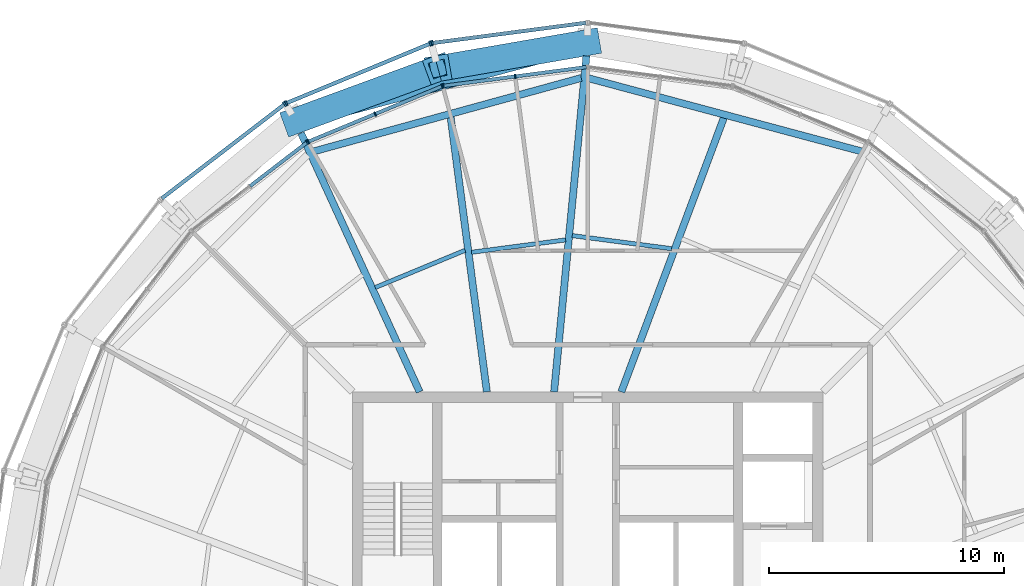
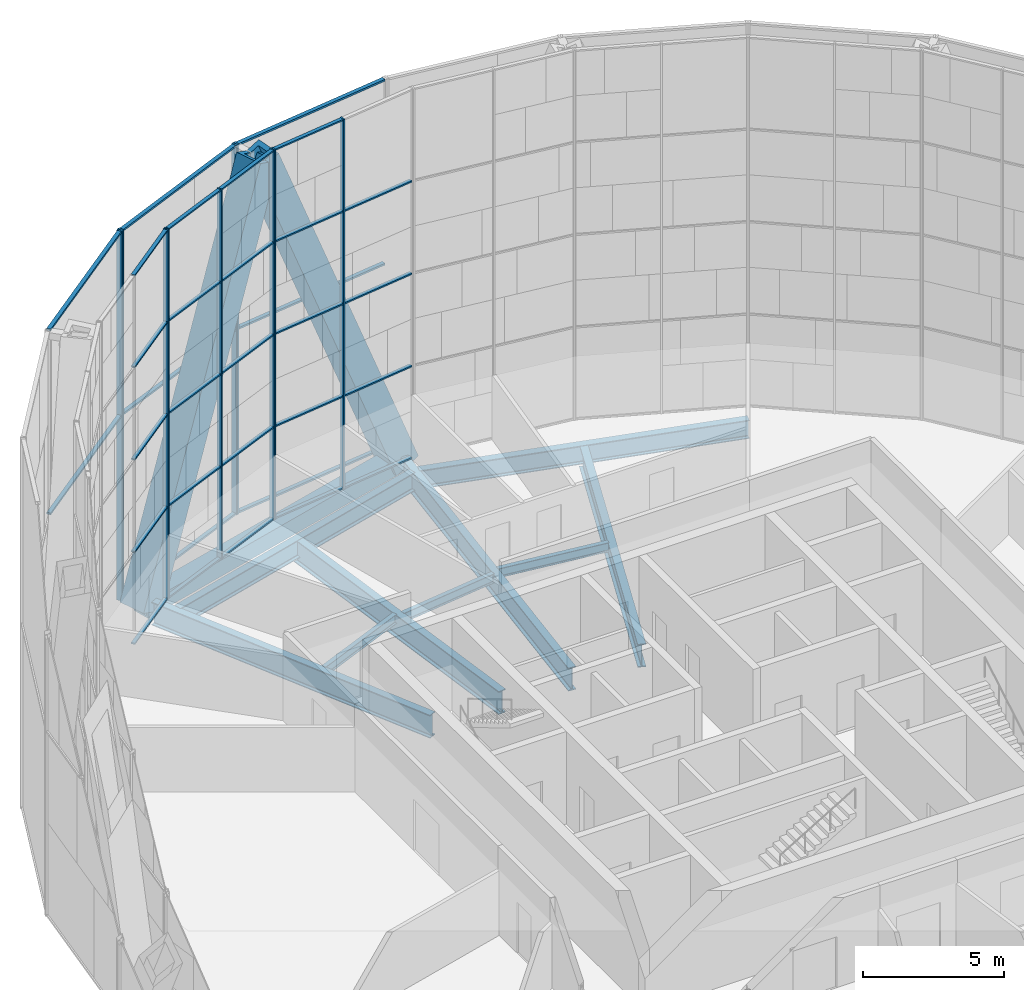
# One storey, part 9 of 28: 44 members, 10 beams, 6 elements without a shape of their own.
"""IFC4 building model written with IfcOpenShell, lengths in metres."""

from ifc_helpers import new_model, si_unit, direction, frame, origin, origin_2d, place, context, subcontext, project, spatial, rectangle, hollow_rectangle, i_section, extrude, material, material_profile, profile_set, type_object, element, aggregate, save


model = new_model("IFC4")

# Units and contexts
model_context = context("Model", 3, precision=1e-05, world=origin(), true_north=direction((0.0, 1.0)))
body_context = subcontext(model_context, "Body", "Model", "MODEL_VIEW")
ifc_project = project(units=[si_unit("LENGTHUNIT", "METRE"), si_unit("AREAUNIT", "SQUARE_METRE"), si_unit("VOLUMEUNIT", "CUBIC_METRE"), si_unit("PLANEANGLEUNIT", "RADIAN"), si_unit("MASSUNIT", "GRAM", prefix="KILO")], contexts=[model_context])

# Site, building, storey
site_placement = place(None, origin())
site = spatial("IfcSite", under=ifc_project, at=site_placement, CompositionType="ELEMENT")
building_placement = place(site_placement, origin())
building = spatial("IfcBuilding", under=site, at=building_placement, Name="Golbaran Civic Tower", CompositionType="ELEMENT")
storey_placement = place(building_placement, frame((0.0, 0.0, 183.0)))
storey = spatial("IfcBuildingStorey", under=building, at=storey_placement, Name="L44", CompositionType="ELEMENT", Elevation=183.0)

# Members
ifc_material_1 = material(Name="Steel S355", Category="steel")
ifc_material_profile_1 = material_profile(ifc_material_1, hollow_rectangle(XDim=1.10009765625, YDim=1.10009765625, WallThickness=0.199951171875, at=origin_2d()), Name="BOX 1100x1100x200")
ifc_profile_set_1 = profile_set([ifc_material_profile_1], Name="Steel S355")
member_type_1 = type_object("IfcMemberType", Name="DIAGRID DIAGONAL BOX 1100x1100x200", PredefinedType="BRACE", material=ifc_profile_set_1)
for number, where, z_axis, x_axis, name in (
    (1, (0.0, 24.846923828125, -0.7099609375), (-0.368693220348, -0.064127942686, 0.927336463338), (0.171360323139, -0.985208424474, 0.0), "Diagonal D10-03R L44-L48"),
    (2, (-12.423583984375, 21.51806640625, -0.7099609375), (0.351359818356, 0.128807878317, 0.927337483621), (-0.344197986848, 0.938897090127, 0.0), "Diagonal D10-04L L44-L48"),
):
    element("IfcMember", number, at=place(storey_placement, frame(where, z_axis=z_axis, x_axis=x_axis)), inside=storey, type_object=member_type_1, Name=name, PredefinedType="BRACE", context=body_context, shape_type="SweptSolid", body=[
        extrude(hollow_rectangle(XDim=1.10009765625, YDim=1.10009765625, WallThickness=0.199951171875, at=origin_2d()), origin(), (0.0, 0.0, 1.0), 17.253662109375),
    ])

# Beams
ifc_material_profile_2 = material_profile(ifc_material_1, hollow_rectangle(XDim=0.699951171875, YDim=0.699951171875, WallThickness=0.080078125, at=origin_2d()), Name="BOX 700x700x80")
ifc_profile_set_2 = profile_set([ifc_material_profile_2], Name="Steel S355")
beam_type_1 = type_object("IfcBeamType", Name="DIAGRID RING TIE BOX 700x700x80", PredefinedType="BEAM", material=ifc_profile_set_2)
beam_1_placement = place(storey_placement, frame((0.0, 24.846923828125, -0.7099609375), z_axis=(-0.965926445829, -0.258816732935, 0.0), x_axis=(0.258816732935, -0.965926445829, 0.0)))
element("IfcBeam", 3, at=beam_1_placement, inside=storey, type_object=beam_type_1, Name="Ring tie 90.00 L44", PredefinedType="BEAM", context=body_context, shape_type="SweptSolid", body=[
    extrude(hollow_rectangle(XDim=0.699951171875, YDim=0.699951171875, WallThickness=0.080078125, at=origin_2d()), origin(), (0.0, 0.0, 1.0), 12.86181640625),
])
ifc_material_profile_3 = material_profile(ifc_material_1, i_section(OverallWidth=0.300048828125, OverallDepth=0.800048828125, WebThickness=0.017578125, FlangeThickness=0.032958984375, FilletRadius=0.030029296875, at=origin_2d()), Name="HEB 800")
ifc_profile_set_3 = profile_set([ifc_material_profile_3], Name="Steel S355")
beam_type_2 = type_object("IfcBeamType", Name="EDGE BEAM HEB 800", PredefinedType="BEAM", material=ifc_profile_set_3)
beam_2_placement = place(storey_placement, frame((11.68115234375, 20.2109375, -0.60009765625), z_axis=(-0.965945171702, 0.258746836241, 0.0), x_axis=(-0.258746836241, -0.965945171702, 0.0)))
element("IfcBeam", 4, at=beam_2_placement, inside=storey, type_object=beam_type_2, Name="Edge beam 60.00 L44", PredefinedType="BEAM", context=body_context, shape_type="SweptSolid", body=[
    extrude(i_section(OverallWidth=0.300048828125, OverallDepth=0.800048828125, WebThickness=0.017578125, FlangeThickness=0.032958984375, FilletRadius=0.030029296875, at=origin_2d()), origin(), (0.0, 0.0, 1.0), 12.107666015625),
])
beam_3_placement = place(storey_placement, frame((-0.275390625, 23.341064453125, -0.60009765625), z_axis=(-0.964362094197, -0.264585999773, 0.0), x_axis=(0.264585999773, -0.964362094197, 0.0)))
element("IfcBeam", 5, at=beam_3_placement, inside=storey, type_object=beam_type_2, Name="Edge beam 90.00 L44", PredefinedType="BEAM", context=body_context, shape_type="SweptSolid", body=[
    extrude(i_section(OverallWidth=0.300048828125, OverallDepth=0.800048828125, WebThickness=0.017578125, FlangeThickness=0.032958984375, FilletRadius=0.030029296875, at=origin_2d()), origin(), (0.0, 0.0, 1.0), 11.827392578125),
])
ifc_material_profile_4 = material_profile(ifc_material_1, i_section(OverallWidth=0.179931640625, OverallDepth=0.39990234375, WebThickness=0.008544921875, FlangeThickness=0.013427734375, FilletRadius=0.02099609375, at=origin_2d()), Name="IPE 400")
ifc_profile_set_4 = profile_set([ifc_material_profile_4], Name="Steel S355")
beam_type_3 = type_object("IfcBeamType", Name="FLOOR INFILL BEAM IPE 400", PredefinedType="BEAM", material=ifc_profile_set_4)
beam_4_placement = place(storey_placement, frame((3.566650390625, 16.0849609375, -0.39990234375), z_axis=(-0.99144220312, 0.130546382073, 0.0), x_axis=(-0.130546382073, -0.99144220312, 0.0)))
element("IfcBeam", 6, at=beam_4_placement, inside=storey, type_object=beam_type_3, Name="Infill beam 82.50 L44", PredefinedType="BEAM", context=body_context, shape_type="SweptSolid", body=[
    extrude(i_section(OverallWidth=0.179931640625, OverallDepth=0.39990234375, WebThickness=0.008544921875, FlangeThickness=0.013427734375, FilletRadius=0.02099609375, at=origin_2d()), origin(), (0.0, 0.0, 1.0), 4.261962890625),
])
beam_5_placement = place(storey_placement, frame((-0.937744140625, 16.459228515625, -0.39990234375), z_axis=(-0.991443787401, -0.130534349596, 0.0), x_axis=(0.130534349596, -0.991443787401, 0.0)))
element("IfcBeam", 7, at=beam_5_placement, inside=storey, type_object=beam_type_3, Name="Infill beam 97.50 L44", PredefinedType="BEAM", context=body_context, shape_type="SweptSolid", body=[
    extrude(i_section(OverallWidth=0.179931640625, OverallDepth=0.39990234375, WebThickness=0.008544921875, FlangeThickness=0.013427734375, FilletRadius=0.02099609375, at=origin_2d()), origin(), (0.0, 0.0, 1.0), 4.0341796875),
])
beam_6_placement = place(storey_placement, frame((-5.2109375, 16.016845703125, -0.39990234375), z_axis=(-0.923872956866, -0.38269930699, 0.0), x_axis=(0.38269930699, -0.923872956866, 0.0)))
element("IfcBeam", 8, at=beam_6_placement, inside=storey, type_object=beam_type_3, Name="Infill beam 112.50 L44", PredefinedType="BEAM", context=body_context, shape_type="SweptSolid", body=[
    extrude(i_section(OverallWidth=0.179931640625, OverallDepth=0.39990234375, WebThickness=0.008544921875, FlangeThickness=0.013427734375, FilletRadius=0.02099609375, at=origin_2d()), origin(), (0.0, 0.0, 1.0), 4.136474609375),
])

# Curtain wall, members
ifc_material_2 = material(Name="Aluminium and glass", Category="aluminium")
curtain_wall_type_1 = type_object("IfcCurtainWallType", Name="INNER SKIN CURTAIN WALL EXECUTIVE", PredefinedType="NOTDEFINED", material=ifc_material_2)
curtain_wall_1_placement = place(storey_placement, origin())
curtain_wall_1 = element("IfcCurtainWall", 9, at=curtain_wall_1_placement, inside=storey, type_object=curtain_wall_type_1, Name="Inner skin L44 facet 7 CW2", ObjectType="INNER SKIN", PredefinedType="USERDEFINED")
ifc_material_3 = material(Name="Aluminium", Category="aluminium")
ifc_material_profile_5 = material_profile(ifc_material_3, rectangle(XDim=0.199951171875, YDim=0.06005859375, at=origin_2d()), Name="INNER SKIN CURTAIN WALL EXECUTIVE MULLION")
ifc_profile_set_5 = profile_set([ifc_material_profile_5], Name="Aluminium")
member_type_2 = type_object("IfcMemberType", Name="INNER SKIN CURTAIN WALL EXECUTIVE MULLION", PredefinedType="MULLION", material=ifc_profile_set_5)
member_1_placement = place(storey_placement, frame((-3.08154296875, 23.40625, 0.0), z_axis=(0.0, 0.0, 1.0), x_axis=(0.130526192151, -0.991444861383, 0.0)))
member_1 = element("IfcMember", 10, at=member_1_placement, type_object=member_type_2, Name="CW2 mullion 2", PredefinedType="MULLION", context=body_context, shape_type="SweptSolid", body=[
    extrude(rectangle(XDim=0.199951171875, YDim=0.06005859375, at=origin_2d()), origin(), (0.0, 0.0, 1.0), 16.0),
])
member_2_placement = place(storey_placement, frame((-6.13330078125, 23.004638671875, 0.0), z_axis=(0.0, 0.0, 1.0), x_axis=(0.130526192151, -0.991444861383, 0.0)))
member_2 = element("IfcMember", 11, at=member_2_placement, type_object=member_type_2, Name="CW2 mullion 3", PredefinedType="MULLION", context=body_context, shape_type="SweptSolid", body=[
    extrude(rectangle(XDim=0.199951171875, YDim=0.06005859375, at=origin_2d()), origin(), (0.0, 0.0, 1.0), 16.0),
])

curtain_wall_2_placement = place(storey_placement, origin())
curtain_wall_2 = element("IfcCurtainWall", 12, at=curtain_wall_2_placement, inside=storey, type_object=curtain_wall_type_1, Name="Inner skin L44 facet 8 CW2", ObjectType="INNER SKIN", PredefinedType="USERDEFINED")
member_3_placement = place(storey_placement, frame((-6.190673828125, 22.9892578125, 0.0), z_axis=(0.0, 0.0, 1.0), x_axis=(0.382683432413, -0.923879532491, 0.0)))
member_3 = element("IfcMember", 13, at=member_3_placement, type_object=member_type_2, Name="CW2 mullion 1", PredefinedType="MULLION", context=body_context, shape_type="SweptSolid", body=[
    extrude(rectangle(XDim=0.199951171875, YDim=0.06005859375, at=origin_2d()), origin(), (0.0, 0.0, 1.0), 16.0),
])
member_4_placement = place(storey_placement, frame((-9.034423828125, 21.811279296875, 0.0), z_axis=(0.0, 0.0, 1.0), x_axis=(0.382683432413, -0.923879532491, 0.0)))
member_4 = element("IfcMember", 14, at=member_4_placement, type_object=member_type_2, Name="CW2 mullion 2", PredefinedType="MULLION", context=body_context, shape_type="SweptSolid", body=[
    extrude(rectangle(XDim=0.199951171875, YDim=0.06005859375, at=origin_2d()), origin(), (0.0, 0.0, 1.0), 16.0),
])
member_5_placement = place(storey_placement, frame((-11.878173828125, 20.63330078125, 0.0), z_axis=(0.0, 0.0, 1.0), x_axis=(0.382683432413, -0.923879532491, 0.0)))
member_5 = element("IfcMember", 15, at=member_5_placement, type_object=member_type_2, Name="CW2 mullion 3", PredefinedType="MULLION", context=body_context, shape_type="SweptSolid", body=[
    extrude(rectangle(XDim=0.199951171875, YDim=0.06005859375, at=origin_2d()), origin(), (0.0, 0.0, 1.0), 16.0),
])

# Curtain wall, member
curtain_wall_3_placement = place(storey_placement, origin())
curtain_wall_3 = element("IfcCurtainWall", 16, at=curtain_wall_3_placement, inside=storey, type_object=curtain_wall_type_1, Name="Inner skin L44 facet 9 CW2", ObjectType="INNER SKIN", PredefinedType="USERDEFINED")
member_6_placement = place(storey_placement, frame((-11.9296875, 20.603515625, 0.0), z_axis=(0.0, 0.0, 1.0), x_axis=(0.608761428953, -0.793353340334, 0.0)))
member_6 = element("IfcMember", 17, at=member_6_placement, type_object=member_type_2, Name="CW2 mullion 1", PredefinedType="MULLION", context=body_context, shape_type="SweptSolid", body=[
    extrude(rectangle(XDim=0.199951171875, YDim=0.06005859375, at=origin_2d()), origin(), (0.0, 0.0, 1.0), 16.0),
])

# Member
ifc_material_profile_6 = material_profile(ifc_material_3, rectangle(XDim=0.14990234375, YDim=0.06005859375, at=origin_2d()), Name="INNER SKIN CURTAIN WALL EXECUTIVE TRANSOM")
ifc_profile_set_6 = profile_set([ifc_material_profile_6], Name="Aluminium")
member_type_3 = type_object("IfcMemberType", Name="INNER SKIN CURTAIN WALL EXECUTIVE TRANSOM", PredefinedType="USERDEFINED", material=ifc_profile_set_6)
member_7_placement = place(storey_placement, frame((-0.0595703125, 23.80419921875, 0.030029296875), z_axis=(-0.991439972004, -0.130563325295, 0.0), x_axis=(0.130563325295, -0.991439972004, 0.0)))
member_7 = element("IfcMember", 18, at=member_7_placement, type_object=member_type_3, Name="CW2 transom 1.1", ObjectType="TRANSOM", PredefinedType="USERDEFINED", context=body_context, shape_type="SweptSolid", body=[
    extrude(rectangle(XDim=0.14990234375, YDim=0.06005859375, at=origin_2d()), origin(), (0.0, 0.0, 1.0), 3.01806640625),
])

member_8_placement = place(storey_placement, frame((-0.0595703125, 23.80419921875, 4.0), z_axis=(-0.991439972004, -0.130563325295, 0.0), x_axis=(0.130563325295, -0.991439972004, 0.0)))
member_8 = element("IfcMember", 19, at=member_8_placement, type_object=member_type_3, Name="CW2 transom 1.2", ObjectType="TRANSOM", PredefinedType="USERDEFINED", context=body_context, shape_type="SweptSolid", body=[
    extrude(rectangle(XDim=0.14990234375, YDim=0.06005859375, at=origin_2d()), origin(), (0.0, 0.0, 1.0), 3.01806640625),
])

member_9_placement = place(storey_placement, frame((-0.0595703125, 23.80419921875, 8.0), z_axis=(-0.991439972004, -0.130563325295, 0.0), x_axis=(0.130563325295, -0.991439972004, 0.0)))
member_9 = element("IfcMember", 20, at=member_9_placement, type_object=member_type_3, Name="CW2 transom 1.3", ObjectType="TRANSOM", PredefinedType="USERDEFINED", context=body_context, shape_type="SweptSolid", body=[
    extrude(rectangle(XDim=0.14990234375, YDim=0.06005859375, at=origin_2d()), origin(), (0.0, 0.0, 1.0), 3.01806640625),
])

member_10_placement = place(storey_placement, frame((-0.0595703125, 23.80419921875, 12.0), z_axis=(-0.991439972004, -0.130563325295, 0.0), x_axis=(0.130563325295, -0.991439972004, 0.0)))
member_10 = element("IfcMember", 21, at=member_10_placement, type_object=member_type_3, Name="CW2 transom 1.4", ObjectType="TRANSOM", PredefinedType="USERDEFINED", context=body_context, shape_type="SweptSolid", body=[
    extrude(rectangle(XDim=0.14990234375, YDim=0.06005859375, at=origin_2d()), origin(), (0.0, 0.0, 1.0), 3.01806640625),
])

member_11_placement = place(storey_placement, frame((-3.111328125, 23.40234375, 0.030029296875), z_axis=(-0.991450440339, -0.130483808769, 0.0), x_axis=(0.130483808769, -0.991450440339, 0.0)))
member_11 = element("IfcMember", 22, at=member_11_placement, type_object=member_type_3, Name="CW2 transom 2.1", ObjectType="TRANSOM", PredefinedType="USERDEFINED", context=body_context, shape_type="SweptSolid", body=[
    extrude(rectangle(XDim=0.14990234375, YDim=0.06005859375, at=origin_2d()), origin(), (0.0, 0.0, 1.0), 3.01806640625),
])

member_12_placement = place(storey_placement, frame((-3.111328125, 23.40234375, 4.0), z_axis=(-0.991450440339, -0.130483808769, 0.0), x_axis=(0.130483808769, -0.991450440339, 0.0)))
member_12 = element("IfcMember", 23, at=member_12_placement, type_object=member_type_3, Name="CW2 transom 2.2", ObjectType="TRANSOM", PredefinedType="USERDEFINED", context=body_context, shape_type="SweptSolid", body=[
    extrude(rectangle(XDim=0.14990234375, YDim=0.06005859375, at=origin_2d()), origin(), (0.0, 0.0, 1.0), 3.01806640625),
])

member_13_placement = place(storey_placement, frame((-3.111328125, 23.40234375, 8.0), z_axis=(-0.991450440339, -0.130483808769, 0.0), x_axis=(0.130483808769, -0.991450440339, 0.0)))
member_13 = element("IfcMember", 24, at=member_13_placement, type_object=member_type_3, Name="CW2 transom 2.3", ObjectType="TRANSOM", PredefinedType="USERDEFINED", context=body_context, shape_type="SweptSolid", body=[
    extrude(rectangle(XDim=0.14990234375, YDim=0.06005859375, at=origin_2d()), origin(), (0.0, 0.0, 1.0), 3.01806640625),
])

member_14_placement = place(storey_placement, frame((-3.111328125, 23.40234375, 12.0), z_axis=(-0.991450440339, -0.130483808769, 0.0), x_axis=(0.130483808769, -0.991450440339, 0.0)))
member_14 = element("IfcMember", 25, at=member_14_placement, type_object=member_type_3, Name="CW2 transom 2.4", ObjectType="TRANSOM", PredefinedType="USERDEFINED", context=body_context, shape_type="SweptSolid", body=[
    extrude(rectangle(XDim=0.14990234375, YDim=0.06005859375, at=origin_2d()), origin(), (0.0, 0.0, 1.0), 3.01806640625),
])

member_15_placement = place(storey_placement, frame((-3.111328125, 23.40234375, 15.969970703125), z_axis=(-0.991450440339, -0.130483808769, 0.0), x_axis=(0.130483808769, -0.991450440339, 0.0)))
member_15 = element("IfcMember", 26, at=member_15_placement, type_object=member_type_3, Name="CW2 transom 2.5", ObjectType="TRANSOM", PredefinedType="USERDEFINED", context=body_context, shape_type="SweptSolid", body=[
    extrude(rectangle(XDim=0.14990234375, YDim=0.06005859375, at=origin_2d()), origin(), (0.0, 0.0, 1.0), 3.01806640625),
])

aggregate(curtain_wall_1, [member_1, member_2, member_7, member_8, member_9, member_10, member_11, member_12, member_13, member_14, member_15])

member_16_placement = place(storey_placement, frame((-6.218505859375, 22.977783203125, 0.030029296875), z_axis=(-0.923871898929, -0.382701860943, 0.0), x_axis=(0.382701860943, -0.923871898929, 0.0)))
member_16 = element("IfcMember", 27, at=member_16_placement, type_object=member_type_3, Name="CW2 transom 1.1", ObjectType="TRANSOM", PredefinedType="USERDEFINED", context=body_context, shape_type="SweptSolid", body=[
    extrude(rectangle(XDim=0.14990234375, YDim=0.06005859375, at=origin_2d()), origin(), (0.0, 0.0, 1.0), 3.01806640625),
])

member_17_placement = place(storey_placement, frame((-6.218505859375, 22.977783203125, 4.0), z_axis=(-0.923871898929, -0.382701860943, 0.0), x_axis=(0.382701860943, -0.923871898929, 0.0)))
member_17 = element("IfcMember", 28, at=member_17_placement, type_object=member_type_3, Name="CW2 transom 1.2", ObjectType="TRANSOM", PredefinedType="USERDEFINED", context=body_context, shape_type="SweptSolid", body=[
    extrude(rectangle(XDim=0.14990234375, YDim=0.06005859375, at=origin_2d()), origin(), (0.0, 0.0, 1.0), 3.01806640625),
])

member_18_placement = place(storey_placement, frame((-6.218505859375, 22.977783203125, 8.0), z_axis=(-0.923871898929, -0.382701860943, 0.0), x_axis=(0.382701860943, -0.923871898929, 0.0)))
member_18 = element("IfcMember", 29, at=member_18_placement, type_object=member_type_3, Name="CW2 transom 1.3", ObjectType="TRANSOM", PredefinedType="USERDEFINED", context=body_context, shape_type="SweptSolid", body=[
    extrude(rectangle(XDim=0.14990234375, YDim=0.06005859375, at=origin_2d()), origin(), (0.0, 0.0, 1.0), 3.01806640625),
])

member_19_placement = place(storey_placement, frame((-6.218505859375, 22.977783203125, 12.0), z_axis=(-0.923871898929, -0.382701860943, 0.0), x_axis=(0.382701860943, -0.923871898929, 0.0)))
member_19 = element("IfcMember", 30, at=member_19_placement, type_object=member_type_3, Name="CW2 transom 1.4", ObjectType="TRANSOM", PredefinedType="USERDEFINED", context=body_context, shape_type="SweptSolid", body=[
    extrude(rectangle(XDim=0.14990234375, YDim=0.06005859375, at=origin_2d()), origin(), (0.0, 0.0, 1.0), 3.01806640625),
])

member_20_placement = place(storey_placement, frame((-6.218505859375, 22.977783203125, 15.969970703125), z_axis=(-0.923871898929, -0.382701860943, 0.0), x_axis=(0.382701860943, -0.923871898929, 0.0)))
member_20 = element("IfcMember", 31, at=member_20_placement, type_object=member_type_3, Name="CW2 transom 1.5", ObjectType="TRANSOM", PredefinedType="USERDEFINED", context=body_context, shape_type="SweptSolid", body=[
    extrude(rectangle(XDim=0.14990234375, YDim=0.06005859375, at=origin_2d()), origin(), (0.0, 0.0, 1.0), 3.01806640625),
])

member_21_placement = place(storey_placement, frame((-9.062255859375, 21.7998046875, 0.030029296875), z_axis=(-0.923871898929, -0.382701860943, 0.0), x_axis=(0.382701860943, -0.923871898929, 0.0)))
member_21 = element("IfcMember", 32, at=member_21_placement, type_object=member_type_3, Name="CW2 transom 2.1", ObjectType="TRANSOM", PredefinedType="USERDEFINED", context=body_context, shape_type="SweptSolid", body=[
    extrude(rectangle(XDim=0.14990234375, YDim=0.06005859375, at=origin_2d()), origin(), (0.0, 0.0, 1.0), 3.01806640625),
])

member_22_placement = place(storey_placement, frame((-9.062255859375, 21.7998046875, 4.0), z_axis=(-0.923871898929, -0.382701860943, 0.0), x_axis=(0.382701860943, -0.923871898929, 0.0)))
member_22 = element("IfcMember", 33, at=member_22_placement, type_object=member_type_3, Name="CW2 transom 2.2", ObjectType="TRANSOM", PredefinedType="USERDEFINED", context=body_context, shape_type="SweptSolid", body=[
    extrude(rectangle(XDim=0.14990234375, YDim=0.06005859375, at=origin_2d()), origin(), (0.0, 0.0, 1.0), 3.01806640625),
])

member_23_placement = place(storey_placement, frame((-9.062255859375, 21.7998046875, 8.0), z_axis=(-0.923871898929, -0.382701860943, 0.0), x_axis=(0.382701860943, -0.923871898929, 0.0)))
member_23 = element("IfcMember", 34, at=member_23_placement, type_object=member_type_3, Name="CW2 transom 2.3", ObjectType="TRANSOM", PredefinedType="USERDEFINED", context=body_context, shape_type="SweptSolid", body=[
    extrude(rectangle(XDim=0.14990234375, YDim=0.06005859375, at=origin_2d()), origin(), (0.0, 0.0, 1.0), 3.01806640625),
])

member_24_placement = place(storey_placement, frame((-9.062255859375, 21.7998046875, 12.0), z_axis=(-0.923871898929, -0.382701860943, 0.0), x_axis=(0.382701860943, -0.923871898929, 0.0)))
member_24 = element("IfcMember", 35, at=member_24_placement, type_object=member_type_3, Name="CW2 transom 2.4", ObjectType="TRANSOM", PredefinedType="USERDEFINED", context=body_context, shape_type="SweptSolid", body=[
    extrude(rectangle(XDim=0.14990234375, YDim=0.06005859375, at=origin_2d()), origin(), (0.0, 0.0, 1.0), 3.01806640625),
])

member_25_placement = place(storey_placement, frame((-9.062255859375, 21.7998046875, 15.969970703125), z_axis=(-0.923871898929, -0.382701860943, 0.0), x_axis=(0.382701860943, -0.923871898929, 0.0)))
member_25 = element("IfcMember", 36, at=member_25_placement, type_object=member_type_3, Name="CW2 transom 2.5", ObjectType="TRANSOM", PredefinedType="USERDEFINED", context=body_context, shape_type="SweptSolid", body=[
    extrude(rectangle(XDim=0.14990234375, YDim=0.06005859375, at=origin_2d()), origin(), (0.0, 0.0, 1.0), 3.01806640625),
])

aggregate(curtain_wall_2, [member_3, member_4, member_5, member_16, member_17, member_18, member_19, member_20, member_21, member_22, member_23, member_24, member_25])

member_26_placement = place(storey_placement, frame((-11.95361328125, 20.585205078125, 0.030029296875), z_axis=(-0.793360207691, -0.608752479135, 0.0), x_axis=(0.608752479135, -0.793360207691, 0.0)))
member_26 = element("IfcMember", 37, at=member_26_placement, type_object=member_type_3, Name="CW2 transom 1.1", ObjectType="TRANSOM", PredefinedType="USERDEFINED", context=body_context, shape_type="SweptSolid", body=[
    extrude(rectangle(XDim=0.14990234375, YDim=0.06005859375, at=origin_2d()), origin(), (0.0, 0.0, 1.0), 3.017822265625),
])

member_27_placement = place(storey_placement, frame((-11.95361328125, 20.585205078125, 4.0), z_axis=(-0.793360207691, -0.608752479135, 0.0), x_axis=(0.608752479135, -0.793360207691, 0.0)))
member_27 = element("IfcMember", 38, at=member_27_placement, type_object=member_type_3, Name="CW2 transom 1.2", ObjectType="TRANSOM", PredefinedType="USERDEFINED", context=body_context, shape_type="SweptSolid", body=[
    extrude(rectangle(XDim=0.14990234375, YDim=0.06005859375, at=origin_2d()), origin(), (0.0, 0.0, 1.0), 3.017822265625),
])

member_28_placement = place(storey_placement, frame((-11.95361328125, 20.585205078125, 8.0), z_axis=(-0.793360207691, -0.608752479135, 0.0), x_axis=(0.608752479135, -0.793360207691, 0.0)))
member_28 = element("IfcMember", 39, at=member_28_placement, type_object=member_type_3, Name="CW2 transom 1.3", ObjectType="TRANSOM", PredefinedType="USERDEFINED", context=body_context, shape_type="SweptSolid", body=[
    extrude(rectangle(XDim=0.14990234375, YDim=0.06005859375, at=origin_2d()), origin(), (0.0, 0.0, 1.0), 3.017822265625),
])

member_29_placement = place(storey_placement, frame((-11.95361328125, 20.585205078125, 12.0), z_axis=(-0.793360207691, -0.608752479135, 0.0), x_axis=(0.608752479135, -0.793360207691, 0.0)))
member_29 = element("IfcMember", 40, at=member_29_placement, type_object=member_type_3, Name="CW2 transom 1.4", ObjectType="TRANSOM", PredefinedType="USERDEFINED", context=body_context, shape_type="SweptSolid", body=[
    extrude(rectangle(XDim=0.14990234375, YDim=0.06005859375, at=origin_2d()), origin(), (0.0, 0.0, 1.0), 3.017822265625),
])

member_30_placement = place(storey_placement, frame((-11.95361328125, 20.585205078125, 15.969970703125), z_axis=(-0.793360207691, -0.608752479135, 0.0), x_axis=(0.608752479135, -0.793360207691, 0.0)))
member_30 = element("IfcMember", 41, at=member_30_placement, type_object=member_type_3, Name="CW2 transom 1.5", ObjectType="TRANSOM", PredefinedType="USERDEFINED", context=body_context, shape_type="SweptSolid", body=[
    extrude(rectangle(XDim=0.14990234375, YDim=0.06005859375, at=origin_2d()), origin(), (0.0, 0.0, 1.0), 3.017822265625),
])

aggregate(curtain_wall_3, [member_6, member_26, member_27, member_28, member_29, member_30])

# Curtain wall, member
curtain_wall_type_2 = type_object("IfcCurtainWallType", Name="OUTER SKIN TERRACOTTA SCREEN", PredefinedType="NOTDEFINED", material=ifc_material_2)
curtain_wall_4_placement = place(storey_placement, origin())
curtain_wall_4 = element("IfcCurtainWall", 42, at=curtain_wall_4_placement, inside=storey, type_object=curtain_wall_type_2, Name="Outer skin L44 facet 7 CW3", ObjectType="OUTER SKIN", PredefinedType="USERDEFINED")
ifc_material_profile_7 = material_profile(ifc_material_3, rectangle(XDim=0.219970703125, YDim=0.080078125, at=origin_2d()), Name="OUTER SKIN TERRACOTTA SCREEN MULLION")
ifc_profile_set_7 = profile_set([ifc_material_profile_7], Name="Aluminium")
member_type_4 = type_object("IfcMemberType", Name="OUTER SKIN TERRACOTTA SCREEN MULLION", PredefinedType="MULLION", material=ifc_profile_set_7)
member_31_placement = place(storey_placement, frame((-6.611328125, 24.82666015625, -0.7099609375), z_axis=(0.0, 0.0, 1.0), x_axis=(0.130526192237, -0.991444861372, 0.0)))
member_31 = element("IfcMember", 43, at=member_31_placement, type_object=member_type_4, Name="CW3 mullion 2", PredefinedType="MULLION", context=body_context, shape_type="SweptSolid", body=[
    extrude(rectangle(XDim=0.219970703125, YDim=0.080078125, at=origin_2d()), origin(), (0.0, 0.0, 1.0), 16.0),
])

# Curtain wall, members
curtain_wall_5_placement = place(storey_placement, origin())
curtain_wall_5 = element("IfcCurtainWall", 44, at=curtain_wall_5_placement, inside=storey, type_object=curtain_wall_type_2, Name="Outer skin L44 facet 8 CW3", ObjectType="OUTER SKIN", PredefinedType="USERDEFINED")
member_32_placement = place(storey_placement, frame((-6.687744140625, 24.80615234375, -0.7099609375), z_axis=(0.0, 0.0, 1.0), x_axis=(0.382683432349, -0.923879532518, 0.0)))
member_32 = element("IfcMember", 45, at=member_32_placement, type_object=member_type_4, Name="CW3 mullion 1", PredefinedType="MULLION", context=body_context, shape_type="SweptSolid", body=[
    extrude(rectangle(XDim=0.219970703125, YDim=0.080078125, at=origin_2d()), origin(), (0.0, 0.0, 1.0), 16.0),
])
member_33_placement = place(storey_placement, frame((-12.8115234375, 22.26953125, -0.7099609375), z_axis=(0.0, 0.0, 1.0), x_axis=(0.382683432349, -0.923879532518, 0.0)))
member_33 = element("IfcMember", 46, at=member_33_placement, type_object=member_type_4, Name="CW3 mullion 2", PredefinedType="MULLION", context=body_context, shape_type="SweptSolid", body=[
    extrude(rectangle(XDim=0.219970703125, YDim=0.080078125, at=origin_2d()), origin(), (0.0, 0.0, 1.0), 16.0),
])

# Curtain wall, member
curtain_wall_6_placement = place(storey_placement, origin())
curtain_wall_6 = element("IfcCurtainWall", 47, at=curtain_wall_6_placement, inside=storey, type_object=curtain_wall_type_2, Name="Outer skin L44 facet 9 CW3", ObjectType="OUTER SKIN", PredefinedType="USERDEFINED")
member_34_placement = place(storey_placement, frame((-12.880126953125, 22.22998046875, -0.7099609375), z_axis=(0.0, 0.0, 1.0), x_axis=(0.608761429023, -0.793353340281, 0.0)))
member_34 = element("IfcMember", 48, at=member_34_placement, type_object=member_type_4, Name="CW3 mullion 1", PredefinedType="MULLION", context=body_context, shape_type="SweptSolid", body=[
    extrude(rectangle(XDim=0.219970703125, YDim=0.080078125, at=origin_2d()), origin(), (0.0, 0.0, 1.0), 16.0),
])

# Member
ifc_material_profile_8 = material_profile(ifc_material_3, rectangle(XDim=0.159912109375, YDim=0.080078125, at=origin_2d()), Name="OUTER SKIN TERRACOTTA SCREEN TRANSOM")
ifc_profile_set_8 = profile_set([ifc_material_profile_8], Name="Aluminium")
member_type_5 = type_object("IfcMemberType", Name="OUTER SKIN TERRACOTTA SCREEN TRANSOM", PredefinedType="USERDEFINED", material=ifc_profile_set_8)
member_35_placement = place(storey_placement, frame((-0.079345703125, 25.6865234375, -0.669921875), z_axis=(-0.991444394399, -0.130529739199, 0.0), x_axis=(0.130529739199, -0.991444394399, 0.0)))
member_35 = element("IfcMember", 49, at=member_35_placement, type_object=member_type_5, Name="CW3 transom 1.1", ObjectType="TRANSOM", PredefinedType="USERDEFINED", context=body_context, shape_type="SweptSolid", body=[
    extrude(rectangle(XDim=0.159912109375, YDim=0.080078125, at=origin_2d()), origin(), (0.0, 0.0, 1.0), 6.548095703125),
])

member_36_placement = place(storey_placement, frame((-0.079345703125, 25.6865234375, 7.2900390625), z_axis=(-0.991444394399, -0.130529739199, 0.0), x_axis=(0.130529739199, -0.991444394399, 0.0)))
member_36 = element("IfcMember", 50, at=member_36_placement, type_object=member_type_5, Name="CW3 transom 1.2", ObjectType="TRANSOM", PredefinedType="USERDEFINED", context=body_context, shape_type="SweptSolid", body=[
    extrude(rectangle(XDim=0.159912109375, YDim=0.080078125, at=origin_2d()), origin(), (0.0, 0.0, 1.0), 6.548095703125),
])

member_37_placement = place(storey_placement, frame((-0.079345703125, 25.6865234375, 15.25), z_axis=(-0.991444394399, -0.130529739199, 0.0), x_axis=(0.130529739199, -0.991444394399, 0.0)))
member_37 = element("IfcMember", 51, at=member_37_placement, type_object=member_type_5, Name="CW3 transom 1.3", ObjectType="TRANSOM", PredefinedType="USERDEFINED", context=body_context, shape_type="SweptSolid", body=[
    extrude(rectangle(XDim=0.159912109375, YDim=0.080078125, at=origin_2d()), origin(), (0.0, 0.0, 1.0), 6.548095703125),
])

aggregate(curtain_wall_4, [member_31, member_35, member_36, member_37])

member_38_placement = place(storey_placement, frame((-6.724853515625, 24.790771484375, -0.669921875), z_axis=(-0.923882327997, -0.382676683396, 0.0), x_axis=(0.382676683396, -0.923882327997, 0.0)))
member_38 = element("IfcMember", 52, at=member_38_placement, type_object=member_type_5, Name="CW3 transom 1.1", ObjectType="TRANSOM", PredefinedType="USERDEFINED", context=body_context, shape_type="SweptSolid", body=[
    extrude(rectangle(XDim=0.159912109375, YDim=0.080078125, at=origin_2d()), origin(), (0.0, 0.0, 1.0), 6.54833984375),
])

member_39_placement = place(storey_placement, frame((-6.724853515625, 24.790771484375, 7.2900390625), z_axis=(-0.923882327997, -0.382676683396, 0.0), x_axis=(0.382676683396, -0.923882327997, 0.0)))
member_39 = element("IfcMember", 53, at=member_39_placement, type_object=member_type_5, Name="CW3 transom 1.2", ObjectType="TRANSOM", PredefinedType="USERDEFINED", context=body_context, shape_type="SweptSolid", body=[
    extrude(rectangle(XDim=0.159912109375, YDim=0.080078125, at=origin_2d()), origin(), (0.0, 0.0, 1.0), 6.54833984375),
])

member_40_placement = place(storey_placement, frame((-6.724853515625, 24.790771484375, 15.25), z_axis=(-0.923882327997, -0.382676683396, 0.0), x_axis=(0.382676683396, -0.923882327997, 0.0)))
member_40 = element("IfcMember", 54, at=member_40_placement, type_object=member_type_5, Name="CW3 transom 1.3", ObjectType="TRANSOM", PredefinedType="USERDEFINED", context=body_context, shape_type="SweptSolid", body=[
    extrude(rectangle(XDim=0.159912109375, YDim=0.080078125, at=origin_2d()), origin(), (0.0, 0.0, 1.0), 6.54833984375),
])

aggregate(curtain_wall_5, [member_32, member_33, member_38, member_39, member_40])

member_41_placement = place(storey_placement, frame((-12.911865234375, 22.20556640625, 7.2900390625), z_axis=(-0.793352457563, -0.608762579401, 0.0), x_axis=(0.608762579401, -0.793352457563, 0.0)))
member_41 = element("IfcMember", 55, at=member_41_placement, type_object=member_type_5, Name="CW3 transom 1.2", ObjectType="TRANSOM", PredefinedType="USERDEFINED", context=body_context, shape_type="SweptSolid", body=[
    extrude(rectangle(XDim=0.159912109375, YDim=0.080078125, at=origin_2d()), origin(), (0.0, 0.0, 1.0), 6.54833984375),
])

member_42_placement = place(storey_placement, frame((-12.911865234375, 22.20556640625, 15.25), z_axis=(-0.793352457563, -0.608762579401, 0.0), x_axis=(0.608762579401, -0.793352457563, 0.0)))
member_42 = element("IfcMember", 56, at=member_42_placement, type_object=member_type_5, Name="CW3 transom 1.3", ObjectType="TRANSOM", PredefinedType="USERDEFINED", context=body_context, shape_type="SweptSolid", body=[
    extrude(rectangle(XDim=0.159912109375, YDim=0.080078125, at=origin_2d()), origin(), (0.0, 0.0, 1.0), 6.54833984375),
])

aggregate(curtain_wall_6, [member_34, member_41, member_42])

# Beams
ifc_material_profile_9 = material_profile(ifc_material_1, i_section(OverallWidth=0.300048828125, OverallDepth=1.0, WebThickness=0.01904296875, FlangeThickness=0.035888671875, FilletRadius=0.030029296875, at=origin_2d()), Name="HEB 1000")
ifc_profile_set_9 = profile_set([ifc_material_profile_9], Name="Steel S355")
beam_type_4 = type_object("IfcBeamType", Name="RADIAL FLOOR BEAM HEB 1000", PredefinedType="BEAM", material=ifc_profile_set_9)
beam_7_placement = place(storey_placement, frame((-1.428466796875, 10.0, -0.7099609375), z_axis=(0.095765589924, 0.99540391389, 0.0), x_axis=(-0.99540391389, 0.095765589924, 0.0)))
element("IfcBeam", 57, at=beam_7_placement, inside=storey, type_object=beam_type_4, Name="Radial beam 90.00 L44", PredefinedType="BEAM", context=body_context, shape_type="SweptSolid", body=[
    extrude(i_section(OverallWidth=0.300048828125, OverallDepth=1.0, WebThickness=0.01904296875, FlangeThickness=0.035888671875, FilletRadius=0.030029296875, at=origin_2d()), origin(), (0.0, 0.0, 1.0), 14.34521484375),
])
beam_8_placement = place(storey_placement, frame((-7.142822265625, 10.0, -0.7099609375), z_axis=(-0.416760302145, 0.909016419299, 0.0), x_axis=(-0.909016419299, -0.416760302145, 0.0)))
element("IfcBeam", 58, at=beam_8_placement, inside=storey, type_object=beam_type_4, Name="Radial beam 120.00 L44", PredefinedType="BEAM", context=body_context, shape_type="SweptSolid", body=[
    extrude(i_section(OverallWidth=0.300048828125, OverallDepth=1.0, WebThickness=0.01904296875, FlangeThickness=0.035888671875, FilletRadius=0.030029296875, at=origin_2d()), origin(), (0.0, 0.0, 1.0), 12.10107421875),
])
ifc_material_profile_10 = material_profile(ifc_material_1, i_section(OverallWidth=0.300048828125, OverallDepth=1.0, WebThickness=0.01904296875, FlangeThickness=0.035888671875, FilletRadius=0.030029296875, at=origin_2d()), Name="HEB 1000")
ifc_profile_set_10 = profile_set([ifc_material_profile_10], Name="Steel S355")
beam_type_5 = type_object("IfcBeamType", Name="SECONDARY FLOOR BEAM HEB 1000", PredefinedType="BEAM", material=ifc_profile_set_10)
beam_9_placement = place(storey_placement, frame((1.428466796875, 10.0, -0.7099609375), z_axis=(0.350455235818, 0.936579482846, 0.0), x_axis=(-0.936579482846, 0.350455235818, 0.0)))
element("IfcBeam", 59, at=beam_9_placement, inside=storey, type_object=beam_type_5, Name="Secondary beam 75.00 L44", PredefinedType="BEAM", context=body_context, shape_type="SweptSolid", body=[
    extrude(i_section(OverallWidth=0.300048828125, OverallDepth=1.0, WebThickness=0.01904296875, FlangeThickness=0.035888671875, FilletRadius=0.030029296875, at=origin_2d()), origin(), (0.0, 0.0, 1.0), 12.57421875),
])
beam_10_placement = place(storey_placement, frame((-4.28564453125, 10.0, -0.7099609375), z_axis=(-0.130845657126, 0.991402750658, 0.0), x_axis=(-0.991402750658, -0.130845657126, 0.0)))
element("IfcBeam", 60, at=beam_10_placement, inside=storey, type_object=beam_type_5, Name="Secondary beam 105.00 L44", PredefinedType="BEAM", context=body_context, shape_type="SweptSolid", body=[
    extrude(i_section(OverallWidth=0.300048828125, OverallDepth=1.0, WebThickness=0.01904296875, FlangeThickness=0.035888671875, FilletRadius=0.030029296875, at=origin_2d()), origin(), (0.0, 0.0, 1.0), 11.91552734375),
])

save(model, "model.ifc")
